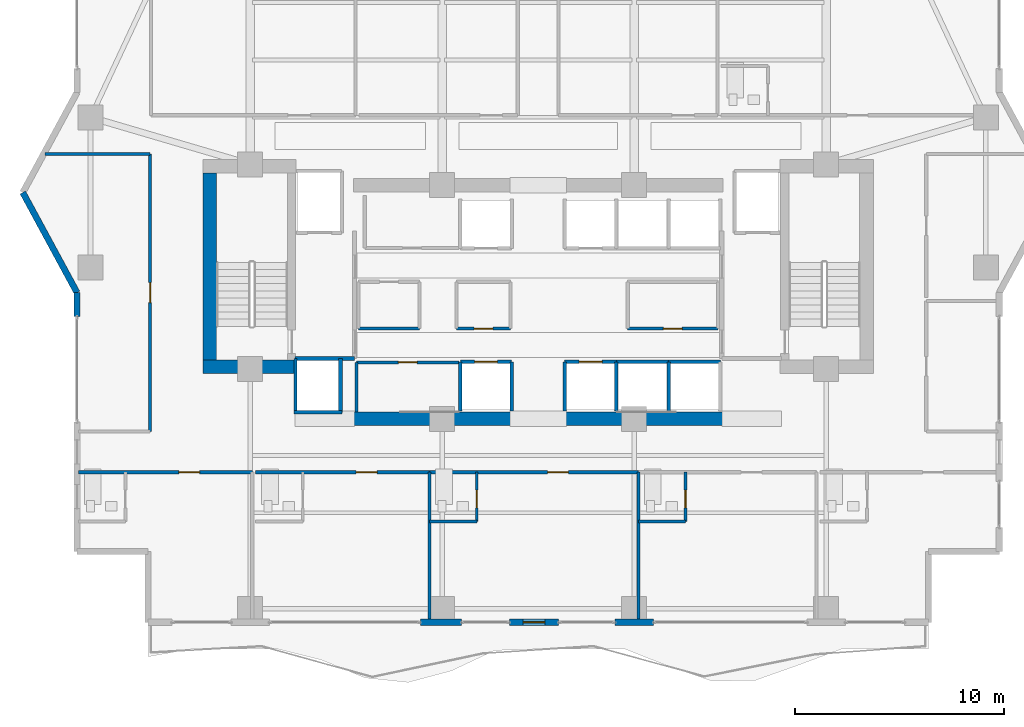
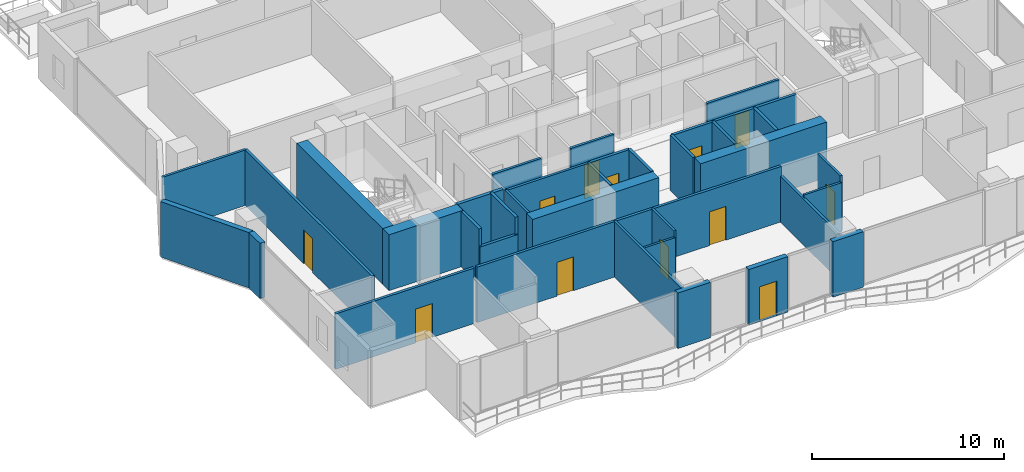
# One storey, part 24 of 32: 38 walls, 12 doors, 12 openings.
"""IFC4 building model written with IfcOpenShell, lengths in metres."""

from ifc_helpers import new_model, si_unit, direction, frame, frame_2d, origin, place, context, subcontext, project, spatial, rectangle, extrude, material, layer, layer_set, type_object, element, fill, save


model = new_model("IFC4")

# Units and contexts
model_context = context("Model", 3, precision=1e-05, world=origin(), true_north=direction((0.0, 1.0)))
body_context = subcontext(model_context, "Body", "Model", "MODEL_VIEW")
ifc_project = project(units=[si_unit("LENGTHUNIT", "METRE"), si_unit("AREAUNIT", "SQUARE_METRE"), si_unit("VOLUMEUNIT", "CUBIC_METRE"), si_unit("PLANEANGLEUNIT", "RADIAN"), si_unit("MASSUNIT", "GRAM", prefix="KILO")], contexts=[model_context])

# Site, building, storey
site_placement = place(None, origin())
site = spatial("IfcSite", under=ifc_project, at=site_placement, CompositionType="ELEMENT")
building_placement = place(site_placement, origin())
building = spatial("IfcBuilding", under=site, at=building_placement, Name="Zuhayl Quay Hotel", CompositionType="ELEMENT")
storey_placement = place(building_placement, frame((0.0, 0.0, 181.14990234375)))
storey = spatial("IfcBuildingStorey", under=building, at=storey_placement, Name="L45", CompositionType="ELEMENT", Elevation=181.14990234375)

# Walls
ifc_material_1 = material(Name="Concrete C50/60", Category="concrete")
ifc_layer_1 = layer(ifc_material_1, 0.64990234375, Name="Concrete C50/60", Category="concrete")
ifc_layer_set_1 = layer_set([ifc_layer_1], Name="Concrete C50/60")
wall_type_1 = type_object("IfcWallType", Name="WL_CORE_650", PredefinedType="SHEAR", material=ifc_layer_set_1)
wall_1_placement = place(storey_placement, frame((-15.735107421875, 4.969970703125, 0.0), z_axis=(0.0, 0.0, 1.0), x_axis=(0.0, 1.0, 0.0)))
element("IfcWall", 1, at=wall_1_placement, inside=storey, type_object=wall_type_1, Name="L45 Core Shear Wall CW_W", PredefinedType="SHEAR", context=body_context, shape_type="SweptSolid", body=[
    extrude(rectangle(XDim=8.9599609375, YDim=0.64990234375, at=frame_2d((4.47998046875, 0.0))), origin(), (0.0, 0.0, 1.0), 3.56005859375),
])
wall_2_placement = place(storey_placement, frame((-16.06005859375, 4.64501953125, 0.0), z_axis=(0.0, 0.0, 1.0), x_axis=(1.0, 0.0, 0.0)))
element("IfcWall", 2, at=wall_2_placement, inside=storey, type_object=wall_type_1, Name="L45 Core Shear Wall CW_SW", PredefinedType="SHEAR", context=body_context, shape_type="SweptSolid", body=[
    extrude(rectangle(XDim=4.4599609375, YDim=0.64990234375, at=frame_2d((2.22998046875, 0.0))), origin(), (0.0, 0.0, 1.0), 3.56005859375),
])
for number, where, z_axis, x_axis, name in (
    (3, (-8.85009765625, 2.14990234375, 0.0), (0.0, 0.0, 1.0), (1.0, 0.0, 0.0), "L45 Core Shear Wall CW_SC_W"),
    (4, (1.25, 2.14990234375, 0.0), (0.0, 0.0, 1.0), (1.0, 0.0, 0.0), "L45 Core Shear Wall CW_SC_E"),
):
    element("IfcWall", number, at=place(storey_placement, frame(where, z_axis=z_axis, x_axis=x_axis)), inside=storey, type_object=wall_type_1, Name=name, PredefinedType="SHEAR", context=body_context, shape_type="SweptSolid", body=[
        extrude(rectangle(XDim=7.60009765625, YDim=0.64990234375, at=frame_2d((3.800048828125, 0.0))), origin(), (0.0, 0.0, 1.0), 3.530029296875),
    ])
ifc_material_2 = material(Name="Precast concrete C45/55", Category="concrete")
ifc_layer_2 = layer(ifc_material_2, 0.300048828125, Name="Precast concrete C45/55", Category="concrete")
ifc_layer_set_2 = layer_set([ifc_layer_2], Name="Precast concrete C45/55")
wall_type_2 = type_object("IfcWallType", Name="WL_EXT_300", PredefinedType="STANDARD", material=ifc_layer_set_2)
wall_3_placement = place(storey_placement, frame((-22.10009765625, 7.050048828125, 0.0), z_axis=(0.0, 0.0, 1.0), x_axis=(0.0, 1.0, 0.0)))
element("IfcWall", 5, at=wall_3_placement, inside=storey, type_object=wall_type_2, Name="L45 Exterior Precast Wall ENV_L45_E02_EW2", PredefinedType="STANDARD", context=body_context, shape_type="SweptSolid", body=[
    extrude(rectangle(XDim=1.14990234375, YDim=0.300048828125, at=frame_2d((0.574951171875, 0.0))), origin(), (0.0, 0.0, 1.0), 3.530029296875),
])
wall_4_placement = place(storey_placement, frame((-22.10009765625, 8.199951171875, 0.0), z_axis=(0.0, 0.0, 1.0), x_axis=(-0.476258655584, 0.879305233114, 0.0)))
element("IfcWall", 6, at=wall_4_placement, inside=storey, type_object=wall_type_2, Name="L45 Exterior Precast Wall ENV_L45_EW03", PredefinedType="STANDARD", context=body_context, shape_type="SweptSolid", body=[
    extrude(rectangle(XDim=5.458984375, YDim=0.300048828125, at=frame_2d((2.7294921875, 0.0))), origin(), (0.0, 0.0, 1.0), 3.530029296875),
])
wall_5_placement = place(storey_placement, frame((5.52001953125, -7.60009765625, 0.0), z_axis=(0.0, 0.0, 1.0), x_axis=(-1.0, 0.0, 0.0)))
element("IfcWall", 7, at=wall_5_placement, inside=storey, type_object=wall_type_2, Name="L45 Exterior Precast Wall ENV_L45_S_EW3", PredefinedType="STANDARD", context=body_context, shape_type="SweptSolid", body=[
    extrude(rectangle(XDim=1.840087890625, YDim=0.300048828125, at=frame_2d((0.919921875, 0.0))), origin(), (0.0, 0.0, 1.0), 3.530029296875),
])

# Wall, opening, door
wall_6_placement = place(storey_placement, frame((0.97509765625, -7.60009765625, 0.0), z_axis=(0.0, 0.0, 1.0), x_axis=(-1.0, 0.0, 0.0)))
wall_6 = element("IfcWall", 8, at=wall_6_placement, inside=storey, type_object=wall_type_2, Name="L45 Exterior Precast Wall ENV_L45_S_EW4", PredefinedType="STANDARD", context=body_context, shape_type="SweptSolid", body=[
    extrude(rectangle(XDim=2.35009765625, YDim=0.300048828125, at=frame_2d((1.175048828125, 0.0))), origin(), (0.0, 0.0, 1.0), 3.530029296875),
])
opening_1_placement = place(wall_6_placement, frame((0.64990234375, 0.0, 0.0)))
opening_1 = element("IfcOpeningElement", 9, at=opening_1_placement, cuts=wall_6, Name="Opening DG1", PredefinedType="OPENING", context=body_context, shape_type="SweptSolid", body=[
    extrude(rectangle(XDim=1.050048828125, YDim=2.199951171875, at=frame_2d((0.52490234375, 1.10009765625))), frame((0.0, 0.159912109375, 0.0), z_axis=(0.0, -1.0, 0.0), x_axis=(1.0, 0.0, 0.0)), (0.0, 0.0, 1.0), 0.320068359375),
])
ifc_material_3 = material(Name="Anodised Aluminium and Dark Solar Glass", Category="aluminium")
door_type_1 = type_object("IfcDoorType", Name="DR_EXT_TERR_1050", OperationType="NOTDEFINED", PredefinedType="DOOR", material=ifc_material_3)
door_1_placement = place(opening_1_placement, origin())
door_1 = element("IfcDoor", 10, at=door_1_placement, inside=storey, type_object=door_type_1, Name="L45 South Rippling Balcony Door", OperationType="SINGLE_SWING_RIGHT", OverallHeight=2.199951171875, OverallWidth=1.050048828125, PredefinedType="DOOR", context=body_context, shape_type="SweptSolid", body=[
    extrude(rectangle(XDim=1.050048828125, YDim=2.199951171875, at=frame_2d((0.52490234375, 1.10009765625))), frame((0.0, 0.02490234375, 0.0), z_axis=(0.0, -1.0, 0.0), x_axis=(1.0, 0.0, 0.0)), (0.0, 0.0, 1.0), 0.050048828125),
])
fill(opening_1, door_1)

# Wall
wall_7_placement = place(storey_placement, frame((-3.679931640625, -7.60009765625, 0.0), z_axis=(0.0, 0.0, 1.0), x_axis=(-1.0, 0.0, 0.0)))
element("IfcWall", 11, at=wall_7_placement, inside=storey, type_object=wall_type_2, Name="L45 Exterior Precast Wall ENV_L45_S_EW5", PredefinedType="STANDARD", context=body_context, shape_type="SweptSolid", body=[
    extrude(rectangle(XDim=1.969970703125, YDim=0.300048828125, at=frame_2d((0.98486328125, 0.0))), origin(), (0.0, 0.0, 1.0), 3.530029296875),
])

# Wall, opening, door
ifc_material_4 = material(Name="Acoustic Gypsum Partition STC-58")
ifc_layer_3 = layer(ifc_material_4, 0.14990234375, Name="Acoustic Gypsum Partition STC-58")
ifc_layer_set_3 = layer_set([ifc_layer_3], Name="Acoustic Gypsum Partition STC-58")
wall_type_3 = type_object("IfcWallType", Name="WL_PART_150", PredefinedType="PARTITIONING", material=ifc_layer_set_3)
wall_8_placement = place(storey_placement, frame((-8.7099609375, 4.860107421875, 0.0), z_axis=(0.0, 0.0, 1.0), x_axis=(1.0, 0.0, 0.0)))
wall_8 = element("IfcWall", 12, at=wall_8_placement, inside=storey, type_object=wall_type_3, Name="L45 Partition IW_L45_FLP_S_N", PredefinedType="PARTITIONING", context=body_context, shape_type="SweptSolid", body=[
    extrude(rectangle(XDim=4.919921875, YDim=0.14990234375, at=frame_2d((2.4599609375, 0.0))), origin(), (0.0, 0.0, 1.0), 3.530029296875),
])
opening_2_placement = place(wall_8_placement, frame((2.010009765625, 0.0, 0.0)))
opening_2 = element("IfcOpeningElement", 13, at=opening_2_placement, cuts=wall_8, Name="Opening D06", PredefinedType="OPENING", context=body_context, shape_type="SweptSolid", body=[
    extrude(rectangle(XDim=0.89990234375, YDim=2.14990234375, at=frame_2d((0.449951171875, 1.074951171875))), frame((0.0, 0.0849609375, 0.0), z_axis=(0.0, -1.0, 0.0), x_axis=(1.0, 0.0, 0.0)), (0.0, 0.0, 1.0), 0.169921875),
])
ifc_material_5 = material(Name="Steel ASTM A992 Grade 50", Category="steel")
door_type_2 = type_object("IfcDoorType", Name="DR_INT_900", OperationType="NOTDEFINED", PredefinedType="DOOR", material=ifc_material_5)
door_2_placement = place(opening_2_placement, origin())
door_2 = element("IfcDoor", 14, at=door_2_placement, inside=storey, type_object=door_type_2, Name="L45 Executive Servery Door", OperationType="SINGLE_SWING_RIGHT", OverallHeight=2.14990234375, OverallWidth=0.89990234375, PredefinedType="DOOR", context=body_context, shape_type="SweptSolid", body=[
    extrude(rectangle(XDim=0.89990234375, YDim=2.14990234375, at=frame_2d((0.449951171875, 1.074951171875))), frame((0.0, 0.02490234375, 0.0), z_axis=(0.0, -1.0, 0.0), x_axis=(1.0, 0.0, 0.0)), (0.0, 0.0, 1.0), 0.050048828125),
])
fill(opening_2, door_2)

wall_9_placement = place(storey_placement, frame((-3.909912109375, 6.47998046875, 0.0), z_axis=(0.0, 0.0, 1.0), x_axis=(1.0, 0.0, 0.0)))
wall_9 = element("IfcWall", 15, at=wall_9_placement, inside=storey, type_object=wall_type_3, Name="L45 Partition IW_L45_CORE_BC_S", PredefinedType="PARTITIONING", context=body_context, shape_type="SweptSolid", body=[
    extrude(rectangle(XDim=2.58984375, YDim=0.14990234375, at=frame_2d((1.294921875, 0.0))), origin(), (0.0, 0.0, 1.0), 3.530029296875),
])
opening_3_placement = place(wall_9_placement, frame((0.844970703125, 0.0, 0.0)))
opening_3 = element("IfcOpeningElement", 16, at=opening_3_placement, cuts=wall_9, Name="Opening D06", PredefinedType="OPENING", context=body_context, shape_type="SweptSolid", body=[
    extrude(rectangle(XDim=0.89990234375, YDim=2.14990234375, at=frame_2d((0.449951171875, 1.074951171875))), frame((0.0, 0.0849609375, 0.0), z_axis=(0.0, -1.0, 0.0), x_axis=(1.0, 0.0, 0.0)), (0.0, 0.0, 1.0), 0.169921875),
])
door_3_placement = place(opening_3_placement, origin())
door_3 = element("IfcDoor", 17, at=door_3_placement, inside=storey, type_object=door_type_2, Name="L45 BMS Control Closet Door", OperationType="SINGLE_SWING_LEFT", OverallHeight=2.14990234375, OverallWidth=0.89990234375, PredefinedType="DOOR", context=body_context, shape_type="SweptSolid", body=[
    extrude(rectangle(XDim=0.89990234375, YDim=2.14990234375, at=frame_2d((0.449951171875, 1.074951171875))), frame((0.0, 0.02490234375, 0.0), z_axis=(0.0, -1.0, 0.0), x_axis=(1.0, 0.0, 0.0)), (0.0, 0.0, 1.0), 0.050048828125),
])
fill(opening_3, door_3)

wall_10_placement = place(storey_placement, frame((4.2900390625, 6.47998046875, 0.0), z_axis=(0.0, 0.0, 1.0), x_axis=(1.0, 0.0, 0.0)))
wall_10 = element("IfcWall", 18, at=wall_10_placement, inside=storey, type_object=wall_type_3, Name="L45 Partition IW_L45_CORE_VL_S", PredefinedType="PARTITIONING", context=body_context, shape_type="SweptSolid", body=[
    extrude(rectangle(XDim=4.320068359375, YDim=0.14990234375, at=frame_2d((2.16015625, 0.0))), origin(), (0.0, 0.0, 1.0), 3.530029296875),
])
opening_4_placement = place(wall_10_placement, frame((1.7099609375, 0.0, 0.0)))
opening_4 = element("IfcOpeningElement", 19, at=opening_4_placement, cuts=wall_10, Name="Opening D06", PredefinedType="OPENING", context=body_context, shape_type="SweptSolid", body=[
    extrude(rectangle(XDim=0.89990234375, YDim=2.14990234375, at=frame_2d((0.449951171875, 1.074951171875))), frame((0.0, 0.0849609375, 0.0), z_axis=(0.0, -1.0, 0.0), x_axis=(1.0, 0.0, 0.0)), (0.0, 0.0, 1.0), 0.169921875),
])
door_4_placement = place(opening_4_placement, origin())
door_4 = element("IfcDoor", 20, at=door_4_placement, inside=storey, type_object=door_type_2, Name="L45 Floor Valet Store Door", OperationType="SINGLE_SWING_RIGHT", OverallHeight=2.14990234375, OverallWidth=0.89990234375, PredefinedType="DOOR", context=body_context, shape_type="SweptSolid", body=[
    extrude(rectangle(XDim=0.89990234375, YDim=2.14990234375, at=frame_2d((0.449951171875, 1.074951171875))), frame((0.0, 0.02490234375, 0.0), z_axis=(0.0, -1.0, 0.0), x_axis=(1.0, 0.0, 0.0)), (0.0, 0.0, 1.0), 0.050048828125),
])
fill(opening_4, door_4)

# Walls
wall_11_placement = place(storey_placement, frame((-8.7099609375, 2.489990234375, 0.0), z_axis=(0.0, 0.0, 1.0), x_axis=(0.0, 1.0, 0.0)))
element("IfcWall", 21, at=wall_11_placement, inside=storey, type_object=wall_type_3, Name="L45 Partition IW_L45_FLP_S_W", PredefinedType="PARTITIONING", context=body_context, shape_type="SweptSolid", body=[
    extrude(rectangle(XDim=2.3701171875, YDim=0.14990234375, at=frame_2d((1.18505859375, 0.0))), origin(), (0.0, 0.0, 1.0), 3.530029296875),
])
wall_12_placement = place(storey_placement, frame((-8.610107421875, 6.47998046875, 0.0), z_axis=(0.0, 0.0, 1.0), x_axis=(1.0, 0.0, 0.0)))
element("IfcWall", 22, at=wall_12_placement, inside=storey, type_object=wall_type_3, Name="L45 Partition IW_L45_CORE_HK_S", PredefinedType="PARTITIONING", context=body_context, shape_type="SweptSolid", body=[
    extrude(rectangle(XDim=2.920166015625, YDim=0.14990234375, at=frame_2d((1.4599609375, 0.0))), origin(), (0.0, 0.0, 1.0), 3.530029296875),
])
wall_13_placement = place(storey_placement, frame((-5.199951171875, -7.52001953125, 0.0), z_axis=(0.0, 0.0, 1.0), x_axis=(0.0, 1.0, 0.0)))
element("IfcWall", 23, at=wall_13_placement, inside=storey, type_object=wall_type_3, Name="L45 Partition IW_L45_SU01B_E", PredefinedType="PARTITIONING", context=body_context, shape_type="SweptSolid", body=[
    extrude(rectangle(XDim=7.1201171875, YDim=0.14990234375, at=frame_2d((3.56005859375, 0.0))), origin(), (0.0, 0.0, 1.0), 3.530029296875),
])
wall_14_placement = place(storey_placement, frame((4.800048828125, -7.52001953125, 0.0), z_axis=(0.0, 0.0, 1.0), x_axis=(0.0, 1.0, 0.0)))
element("IfcWall", 24, at=wall_14_placement, inside=storey, type_object=wall_type_3, Name="L45 Partition IW_L45_SU02_E", PredefinedType="PARTITIONING", context=body_context, shape_type="SweptSolid", body=[
    extrude(rectangle(XDim=7.1201171875, YDim=0.14990234375, at=frame_2d((3.56005859375, 0.0))), origin(), (0.0, 0.0, 1.0), 2.923095703125),
])
wall_15_placement = place(storey_placement, frame((-23.637939453125, 14.85009765625, 0.0), z_axis=(0.0, 0.0, 1.0), x_axis=(1.0, 0.0, 0.0)))
element("IfcWall", 25, at=wall_15_placement, inside=storey, type_object=wall_type_3, Name="L45 Partition IW_L45_WPROW_1_N", PredefinedType="PARTITIONING", context=body_context, shape_type="SweptSolid", body=[
    extrude(rectangle(XDim=5.037841796875, YDim=0.14990234375, at=frame_2d((2.51904296875, 0.0))), origin(), (0.0, 0.0, 1.0), 3.530029296875),
])

# Wall, opening, door
ifc_layer_4 = layer(ifc_material_4, 0.159912109375, Name="Acoustic Gypsum Partition STC-58")
ifc_layer_set_4 = layer_set([ifc_layer_4], Name="Acoustic Gypsum Partition STC-58")
wall_type_4 = type_object("IfcWallType", Name="WL_PART_CORR_160", PredefinedType="PARTITIONING", material=ifc_layer_set_4)
wall_16_placement = place(storey_placement, frame((-22.0400390625, -0.39990234375, 0.0), z_axis=(0.0, 0.0, 1.0), x_axis=(1.0, 0.0, 0.0)))
wall_16 = element("IfcWall", 26, at=wall_16_placement, inside=storey, type_object=wall_type_4, Name="L45 Partition IW_L45_SU01A_COR", PredefinedType="PARTITIONING", context=body_context, shape_type="SweptSolid", body=[
    extrude(rectangle(XDim=8.340087890625, YDim=0.159912109375, at=frame_2d((4.169921875, 0.0))), origin(), (0.0, 0.0, 1.0), 3.530029296875),
])
opening_5_placement = place(wall_16_placement, frame((4.820068359375, 0.0, 0.0)))
opening_5 = element("IfcOpeningElement", 27, at=opening_5_placement, cuts=wall_16, Name="Opening D03L", PredefinedType="OPENING", context=body_context, shape_type="SweptSolid", body=[
    extrude(rectangle(XDim=1.0, YDim=2.14990234375, at=frame_2d((0.5, 1.074951171875))), frame((0.0, 0.08984375, 0.0), z_axis=(0.0, -1.0, 0.0), x_axis=(1.0, 0.0, 0.0)), (0.0, 0.0, 1.0), 0.179931640625),
])
ifc_material_6 = material(Name="Solid Walnut Acoustic Fire Door")
door_type_3 = type_object("IfcDoorType", Name="DR_SUITE_1000", OperationType="NOTDEFINED", PredefinedType="DOOR", material=ifc_material_6)
door_5_placement = place(opening_5_placement, origin())
door_5 = element("IfcDoor", 28, at=door_5_placement, inside=storey, type_object=door_type_3, Name="L45 City-View Junior Suite L45-01A Entrance Door", OperationType="SINGLE_SWING_LEFT", OverallHeight=2.14990234375, OverallWidth=1.0, PredefinedType="DOOR", context=body_context, shape_type="SweptSolid", body=[
    extrude(rectangle(XDim=1.0, YDim=2.14990234375, at=frame_2d((0.5, 1.074951171875))), frame((0.0, 0.02490234375, 0.0), z_axis=(0.0, -1.0, 0.0), x_axis=(1.0, 0.0, 0.0)), (0.0, 0.0, 1.0), 0.050048828125),
])
fill(opening_5, door_5)

wall_17_placement = place(storey_placement, frame((-13.5400390625, -0.39990234375, 0.0), z_axis=(0.0, 0.0, 1.0), x_axis=(1.0, 0.0, 0.0)))
wall_17 = element("IfcWall", 29, at=wall_17_placement, inside=storey, type_object=wall_type_4, Name="L45 Partition IW_L45_SU01B_COR", PredefinedType="PARTITIONING", context=body_context, shape_type="SweptSolid", body=[
    extrude(rectangle(XDim=8.340087890625, YDim=0.159912109375, at=frame_2d((4.169921875, 0.0))), origin(), (0.0, 0.0, 1.0), 3.530029296875),
])
opening_6_placement = place(wall_17_placement, frame((4.820068359375, 0.0, 0.0)))
opening_6 = element("IfcOpeningElement", 30, at=opening_6_placement, cuts=wall_17, Name="Opening D03L", PredefinedType="OPENING", context=body_context, shape_type="SweptSolid", body=[
    extrude(rectangle(XDim=1.0, YDim=2.14990234375, at=frame_2d((0.5, 1.074951171875))), frame((0.0, 0.08984375, 0.0), z_axis=(0.0, -1.0, 0.0), x_axis=(1.0, 0.0, 0.0)), (0.0, 0.0, 1.0), 0.179931640625),
])
door_6_placement = place(opening_6_placement, origin())
door_6 = element("IfcDoor", 31, at=door_6_placement, inside=storey, type_object=door_type_3, Name="L45 City-View Junior Suite L45-01B Entrance Door", OperationType="SINGLE_SWING_LEFT", OverallHeight=2.14990234375, OverallWidth=1.0, PredefinedType="DOOR", context=body_context, shape_type="SweptSolid", body=[
    extrude(rectangle(XDim=1.0, YDim=2.14990234375, at=frame_2d((0.5, 1.074951171875))), frame((0.0, 0.02490234375, 0.0), z_axis=(0.0, -1.0, 0.0), x_axis=(1.0, 0.0, 0.0)), (0.0, 0.0, 1.0), 0.050048828125),
])
fill(opening_6, door_6)

wall_18_placement = place(storey_placement, frame((-5.199951171875, -0.39990234375, 0.0), z_axis=(0.0, 0.0, 1.0), x_axis=(1.0, 0.0, 0.0)))
wall_18 = element("IfcWall", 32, at=wall_18_placement, inside=storey, type_object=wall_type_4, Name="L45 Partition IW_L45_SU02_COR", PredefinedType="PARTITIONING", context=body_context, shape_type="SweptSolid", body=[
    extrude(rectangle(XDim=10.0, YDim=0.159912109375, at=frame_2d((5.0, 0.0))), origin(), (0.0, 0.0, 1.0), 3.530029296875),
])
opening_7_placement = place(wall_18_placement, frame((5.64990234375, 0.0, 0.0)))
opening_7 = element("IfcOpeningElement", 33, at=opening_7_placement, cuts=wall_18, Name="Opening D03L", PredefinedType="OPENING", context=body_context, shape_type="SweptSolid", body=[
    extrude(rectangle(XDim=1.0, YDim=2.14990234375, at=frame_2d((0.5, 1.074951171875))), frame((0.0, 0.08984375, 0.0), z_axis=(0.0, -1.0, 0.0), x_axis=(1.0, 0.0, 0.0)), (0.0, 0.0, 1.0), 0.179931640625),
])
door_7_placement = place(opening_7_placement, origin())
door_7 = element("IfcDoor", 34, at=door_7_placement, inside=storey, type_object=door_type_3, Name="L45 City-View Junior Suite L45-02 Entrance Door", OperationType="SINGLE_SWING_LEFT", OverallHeight=2.14990234375, OverallWidth=1.0, PredefinedType="DOOR", context=body_context, shape_type="SweptSolid", body=[
    extrude(rectangle(XDim=1.0, YDim=2.14990234375, at=frame_2d((0.5, 1.074951171875))), frame((0.0, 0.02490234375, 0.0), z_axis=(0.0, -1.0, 0.0), x_axis=(1.0, 0.0, 0.0)), (0.0, 0.0, 1.0), 0.050048828125),
])
fill(opening_7, door_7)

wall_19_placement = place(storey_placement, frame((-18.60009765625, 1.550048828125, 0.0), z_axis=(0.0, 0.0, 1.0), x_axis=(0.0, 1.0, 0.0)))
wall_19 = element("IfcWall", 35, at=wall_19_placement, inside=storey, type_object=wall_type_4, Name="L45 Partition IW_L45_WPROW_1_E", PredefinedType="PARTITIONING", context=body_context, shape_type="SweptSolid", body=[
    extrude(rectangle(XDim=13.300048828125, YDim=0.159912109375, at=frame_2d((6.64990234375, 0.0))), origin(), (0.0, 0.0, 1.0), 3.530029296875),
])
opening_8_placement = place(wall_19_placement, frame((6.175048828125, 0.0, 0.0)))
opening_8 = element("IfcOpeningElement", 36, at=opening_8_placement, cuts=wall_19, Name="Opening D03", PredefinedType="OPENING", context=body_context, shape_type="SweptSolid", body=[
    extrude(rectangle(XDim=0.949951171875, YDim=2.14990234375, at=frame_2d((0.47509765625, 1.074951171875))), frame((0.0, 0.08984375, 0.0), z_axis=(0.0, -1.0, 0.0), x_axis=(1.0, 0.0, 0.0)), (0.0, 0.0, 1.0), 0.179931640625),
])
door_type_4 = type_object("IfcDoorType", Name="DR_SUITE_950", OperationType="NOTDEFINED", PredefinedType="DOOR", material=ifc_material_6)
door_8_placement = place(opening_8_placement, origin())
door_8 = element("IfcDoor", 37, at=door_8_placement, inside=storey, type_object=door_type_4, Name="L45 West Prow Panoramic Salon L45 Door", OperationType="SINGLE_SWING_RIGHT", OverallHeight=2.14990234375, OverallWidth=0.949951171875, PredefinedType="DOOR", context=body_context, shape_type="SweptSolid", body=[
    extrude(rectangle(XDim=0.949951171875, YDim=2.14990234375, at=frame_2d((0.47509765625, 1.074951171875))), frame((0.0, 0.02490234375, 0.0), z_axis=(0.0, -1.0, 0.0), x_axis=(1.0, 0.0, 0.0)), (0.0, 0.0, 1.0), 0.050048828125),
])
fill(opening_8, door_8)

ifc_material_7 = material(Name="Moisture-Resistant Sanitarychase Gypsum")
ifc_layer_5 = layer(ifc_material_7, 0.135009765625, Name="Moisture-Resistant Sanitarychase Gypsum")
ifc_layer_set_5 = layer_set([ifc_layer_5], Name="Moisture-Resistant Sanitarychase Gypsum")
wall_type_5 = type_object("IfcWallType", Name="WL_PART_PLUMB_150", PredefinedType="PLUMBINGWALL", material=ifc_layer_set_5)
wall_20_placement = place(storey_placement, frame((-2.93994140625, -2.760009765625, 0.0), z_axis=(0.0, 0.0, 1.0), x_axis=(0.0, 1.0, 0.0)))
wall_20 = element("IfcWall", 38, at=wall_20_placement, inside=storey, type_object=wall_type_5, Name="L45 Partition IW_L45_SU02_BE", PredefinedType="PLUMBINGWALL", context=body_context, shape_type="SweptSolid", body=[
    extrude(rectangle(XDim=2.360107421875, YDim=0.135009765625, at=frame_2d((1.18017578125, 0.0))), origin(), (0.0, 0.0, 1.0), 3.530029296875),
])
opening_9_placement = place(wall_20_placement, frame((0.64990234375, 0.0, 0.0)))
opening_9 = element("IfcOpeningElement", 39, at=opening_9_placement, cuts=wall_20, Name="Opening D04", PredefinedType="OPENING", context=body_context, shape_type="SweptSolid", body=[
    extrude(rectangle(XDim=0.85009765625, YDim=2.10009765625, at=frame_2d((0.425048828125, 1.050048828125))), frame((0.0, 0.077392578125, 0.0), z_axis=(0.0, -1.0, 0.0), x_axis=(1.0, 0.0, 0.0)), (0.0, 0.0, 1.0), 0.155029296875),
])
ifc_material_8 = material(Name="Moisture-Resistant Walnut Veneer")
door_type_5 = type_object("IfcDoorType", Name="DR_BATH_850", OperationType="NOTDEFINED", PredefinedType="DOOR", material=ifc_material_8)
door_9_placement = place(opening_9_placement, origin())
door_9 = element("IfcDoor", 40, at=door_9_placement, inside=storey, type_object=door_type_5, Name="L45 City-View Junior Suite L45-02 En-Suite Door", OperationType="SINGLE_SWING_RIGHT", OverallHeight=2.10009765625, OverallWidth=0.85009765625, PredefinedType="DOOR", context=body_context, shape_type="SweptSolid", body=[
    extrude(rectangle(XDim=0.85009765625, YDim=2.10009765625, at=frame_2d((0.425048828125, 1.050048828125))), frame((0.0, 0.02490234375, 0.0), z_axis=(0.0, -1.0, 0.0), x_axis=(1.0, 0.0, 0.0)), (0.0, 0.0, 1.0), 0.050048828125),
])
fill(opening_9, door_9)

wall_21_placement = place(storey_placement, frame((7.06005859375, -2.760009765625, 0.0), z_axis=(0.0, 0.0, 1.0), x_axis=(0.0, 1.0, 0.0)))
wall_21 = element("IfcWall", 41, at=wall_21_placement, inside=storey, type_object=wall_type_5, Name="L45 Partition IW_L45_SU03A_BE", PredefinedType="PLUMBINGWALL", context=body_context, shape_type="SweptSolid", body=[
    extrude(rectangle(XDim=2.360107421875, YDim=0.135009765625, at=frame_2d((1.18017578125, 0.0))), origin(), (0.0, 0.0, 1.0), 3.530029296875),
])
opening_10_placement = place(wall_21_placement, frame((0.64990234375, 0.0, 0.0)))
opening_10 = element("IfcOpeningElement", 42, at=opening_10_placement, cuts=wall_21, Name="Opening D04", PredefinedType="OPENING", context=body_context, shape_type="SweptSolid", body=[
    extrude(rectangle(XDim=0.85009765625, YDim=2.10009765625, at=frame_2d((0.425048828125, 1.050048828125))), frame((0.0, 0.077392578125, 0.0), z_axis=(0.0, -1.0, 0.0), x_axis=(1.0, 0.0, 0.0)), (0.0, 0.0, 1.0), 0.155029296875),
])
door_10_placement = place(opening_10_placement, origin())
door_10 = element("IfcDoor", 43, at=door_10_placement, inside=storey, type_object=door_type_5, Name="L45 City-View Junior Suite L45-03A En-Suite Door", OperationType="SINGLE_SWING_RIGHT", OverallHeight=2.10009765625, OverallWidth=0.85009765625, PredefinedType="DOOR", context=body_context, shape_type="SweptSolid", body=[
    extrude(rectangle(XDim=0.85009765625, YDim=2.10009765625, at=frame_2d((0.425048828125, 1.050048828125))), frame((0.0, 0.02490234375, 0.0), z_axis=(0.0, -1.0, 0.0), x_axis=(1.0, 0.0, 0.0)), (0.0, 0.0, 1.0), 0.050048828125),
])
fill(opening_10, door_10)

# Walls
for number, where, z_axis, x_axis, name in (
    (44, (-5.199951171875, -2.760009765625, 0.0), (0.0, 0.0, 1.0), (1.0, 0.0, 0.0), "L45 Partition IW_L45_SU02_BS"),
    (45, (4.800048828125, -2.760009765625, 0.0), (0.0, 0.0, 1.0), (1.0, 0.0, 0.0), "L45 Partition IW_L45_SU03A_BS"),
):
    element("IfcWall", number, at=place(storey_placement, frame(where, z_axis=z_axis, x_axis=x_axis)), inside=storey, type_object=wall_type_5, Name=name, PredefinedType="PLUMBINGWALL", context=body_context, shape_type="SweptSolid", body=[
        extrude(rectangle(XDim=2.260009765625, YDim=0.135009765625, at=frame_2d((1.1298828125, 0.0))), origin(), (0.0, 0.0, 1.0), 3.1240234375),
    ])

# Wall, opening, door
ifc_material_9 = material(Name="Gypsum Fireboard Assembly EI-90")
ifc_layer_6 = layer(ifc_material_9, 0.1650390625, Name="Gypsum Fireboard Assembly EI-90")
ifc_layer_set_6 = layer_set([ifc_layer_6], Name="Gypsum Fireboard Assembly EI-90")
wall_type_6 = type_object("IfcWallType", Name="WL_PART_SHAFT_160", PredefinedType="PARTITIONING", material=ifc_layer_set_6)
wall_22_placement = place(storey_placement, frame((-3.72998046875, 4.8798828125, 0.0), z_axis=(0.0, 0.0, 1.0), x_axis=(1.0, 0.0, 0.0)))
wall_22 = element("IfcWall", 46, at=wall_22_placement, inside=storey, type_object=wall_type_6, Name="L45 Partition IW_L45_SH_MP1_F", PredefinedType="PARTITIONING", context=body_context, shape_type="SweptSolid", body=[
    extrude(rectangle(XDim=2.4599609375, YDim=0.1650390625, at=frame_2d((1.22998046875, 0.0))), origin(), (0.0, 0.0, 1.0), 3.530029296875),
])
opening_11_placement = place(wall_22_placement, frame((0.679931640625, 0.0, 0.0)))
opening_11 = element("IfcOpeningElement", 47, at=opening_11_placement, cuts=wall_22, Name="Opening LD1", PredefinedType="OPENING", context=body_context, shape_type="SweptSolid", body=[
    extrude(rectangle(XDim=1.10009765625, YDim=2.25, at=frame_2d((0.550048828125, 1.125))), frame((0.0, 0.092529296875, 0.0), z_axis=(0.0, -1.0, 0.0), x_axis=(1.0, 0.0, 0.0)), (0.0, 0.0, 1.0), 0.18505859375),
])
ifc_material_10 = material(Name="Brushed Stainless Steel", Category="steel")
door_type_6 = type_object("IfcDoorType", Name="DR_LIFT_PASS_1100", OperationType="SLIDING_TO_LEFT", PredefinedType="DOOR", material=ifc_material_10)
door_11_placement = place(opening_11_placement, origin())
door_11 = element("IfcDoor", 48, at=door_11_placement, inside=storey, type_object=door_type_6, Name="L45 Lift MP1 Sliding Landing Door", OperationType="SLIDING_TO_LEFT", OverallHeight=2.25, OverallWidth=1.10009765625, PredefinedType="DOOR", context=body_context, shape_type="SweptSolid", body=[
    extrude(rectangle(XDim=1.10009765625, YDim=2.25, at=frame_2d((0.550048828125, 1.125))), frame((0.0, 0.02490234375, 0.0), z_axis=(0.0, -1.0, 0.0), x_axis=(1.0, 0.0, 0.0)), (0.0, 0.0, 1.0), 0.050048828125),
])
fill(opening_11, door_11)

wall_23_placement = place(storey_placement, frame((1.27001953125, 4.8798828125, 0.0), z_axis=(0.0, 0.0, 1.0), x_axis=(1.0, 0.0, 0.0)))
wall_23 = element("IfcWall", 49, at=wall_23_placement, inside=storey, type_object=wall_type_6, Name="L45 Partition IW_L45_SH_MP2_F", PredefinedType="PARTITIONING", context=body_context, shape_type="SweptSolid", body=[
    extrude(rectangle(XDim=2.47998046875, YDim=0.1650390625, at=frame_2d((1.239990234375, 0.0))), origin(), (0.0, 0.0, 1.0), 3.530029296875),
])
opening_12_placement = place(wall_23_placement, frame((0.68994140625, 0.0, 0.0)))
opening_12 = element("IfcOpeningElement", 50, at=opening_12_placement, cuts=wall_23, Name="Opening LD1", PredefinedType="OPENING", context=body_context, shape_type="SweptSolid", body=[
    extrude(rectangle(XDim=1.10009765625, YDim=2.25, at=frame_2d((0.550048828125, 1.125))), frame((0.0, 0.092529296875, 0.0), z_axis=(0.0, -1.0, 0.0), x_axis=(1.0, 0.0, 0.0)), (0.0, 0.0, 1.0), 0.18505859375),
])
door_12_placement = place(opening_12_placement, origin())
door_12 = element("IfcDoor", 51, at=door_12_placement, inside=storey, type_object=door_type_6, Name="L45 Lift MP2 Sliding Landing Door", OperationType="SLIDING_TO_LEFT", OverallHeight=2.25, OverallWidth=1.10009765625, PredefinedType="DOOR", context=body_context, shape_type="SweptSolid", body=[
    extrude(rectangle(XDim=1.10009765625, YDim=2.25, at=frame_2d((0.550048828125, 1.125))), frame((0.0, 0.02490234375, 0.0), z_axis=(0.0, -1.0, 0.0), x_axis=(1.0, 0.0, 0.0)), (0.0, 0.0, 1.0), 0.050048828125),
])
fill(opening_12, door_12)

# Walls
for number, where, z_axis, x_axis, name in (
    (52, (-3.72998046875, 2.52001953125, 0.0), (0.0, 0.0, 1.0), (0.0, 1.0, 0.0), "L45 Partition IW_L45_SH_MP1_W"),
    (53, (-1.27001953125, 2.52001953125, 0.0), (0.0, 0.0, 1.0), (0.0, 1.0, 0.0), "L45 Partition IW_L45_SH_MP1_E"),
    (54, (1.27001953125, 2.52001953125, 0.0), (0.0, 0.0, 1.0), (0.0, 1.0, 0.0), "L45 Partition IW_L45_SH_MP2_W"),
    (55, (3.75, 2.52001953125, 0.0), (0.0, 0.0, 1.0), (0.0, 1.0, 0.0), "L45 Partition IW_L45_SH_MP2_E"),
):
    element("IfcWall", number, at=place(storey_placement, frame(where, z_axis=z_axis, x_axis=x_axis)), inside=storey, type_object=wall_type_6, Name=name, PredefinedType="PARTITIONING", context=body_context, shape_type="SweptSolid", body=[
        extrude(rectangle(XDim=2.35986328125, YDim=0.1650390625, at=frame_2d((1.179931640625, 0.0))), origin(), (0.0, 0.0, 1.0), 3.530029296875),
    ])
wall_24_placement = place(storey_placement, frame((3.75, 4.8798828125, 0.0), z_axis=(0.0, 0.0, 1.0), x_axis=(1.0, 0.0, 0.0)))
element("IfcWall", 56, at=wall_24_placement, inside=storey, type_object=wall_type_6, Name="L45 Partition IW_L45_SH_HP1_F", PredefinedType="PARTITIONING", context=body_context, shape_type="SweptSolid", body=[
    extrude(rectangle(XDim=2.5, YDim=0.1650390625, at=frame_2d((1.25, 0.0))), origin(), (0.0, 0.0, 1.0), 3.530029296875),
])
wall_25_placement = place(storey_placement, frame((6.25, 2.52001953125, 0.0), z_axis=(0.0, 0.0, 1.0), x_axis=(0.0, 1.0, 0.0)))
element("IfcWall", 57, at=wall_25_placement, inside=storey, type_object=wall_type_6, Name="L45 Partition IW_L45_SH_HP1_E", PredefinedType="PARTITIONING", context=body_context, shape_type="SweptSolid", body=[
    extrude(rectangle(XDim=2.35986328125, YDim=0.1650390625, at=frame_2d((1.179931640625, 0.0))), origin(), (0.0, 0.0, 1.0), 3.530029296875),
])
wall_26_placement = place(storey_placement, frame((6.25, 4.8798828125, 0.0), z_axis=(0.0, 0.0, 1.0), x_axis=(1.0, 0.0, 0.0)))
element("IfcWall", 58, at=wall_26_placement, inside=storey, type_object=wall_type_6, Name="L45 Partition IW_L45_SH_HP2_F", PredefinedType="PARTITIONING", context=body_context, shape_type="SweptSolid", body=[
    extrude(rectangle(XDim=2.47998046875, YDim=0.1650390625, at=frame_2d((1.239990234375, 0.0))), origin(), (0.0, 0.0, 1.0), 3.530029296875),
])
wall_27_placement = place(storey_placement, frame((-11.6298828125, 2.469970703125, 0.0), z_axis=(0.0, 0.0, 1.0), x_axis=(0.0, 1.0, 0.0)))
element("IfcWall", 59, at=wall_27_placement, inside=storey, type_object=wall_type_6, Name="L45 Partition IW_L45_RISER_W", PredefinedType="PARTITIONING", context=body_context, shape_type="SweptSolid", body=[
    extrude(rectangle(XDim=2.580078125, YDim=0.1650390625, at=frame_2d((1.2900390625, 0.0))), origin(), (0.0, 0.0, 1.0), 3.530029296875),
])
wall_28_placement = place(storey_placement, frame((-11.7099609375, 2.469970703125, 0.0), z_axis=(0.0, 0.0, 1.0), x_axis=(1.0, 0.0, 0.0)))
element("IfcWall", 60, at=wall_28_placement, inside=storey, type_object=wall_type_6, Name="L45 Partition IW_L45_RISER_S", PredefinedType="PARTITIONING", context=body_context, shape_type="SweptSolid", body=[
    extrude(rectangle(XDim=2.31005859375, YDim=0.1650390625, at=frame_2d((1.155029296875, 0.0))), origin(), (0.0, 0.0, 1.0), 2.43017578125),
])
ifc_layer_7 = layer(ifc_material_9, 0.179931640625, Name="Gypsum Fireboard Assembly EI-90")
ifc_layer_set_7 = layer_set([ifc_layer_7], Name="Gypsum Fireboard Assembly EI-90")
wall_type_7 = type_object("IfcWallType", Name="WL_PART_SHAFT_180", PredefinedType="PARTITIONING", material=ifc_layer_set_7)
wall_29_placement = place(storey_placement, frame((-9.469970703125, 2.449951171875, 0.0), z_axis=(0.0, 0.0, 1.0), x_axis=(0.0, 1.0, 0.0)))
element("IfcWall", 61, at=wall_29_placement, inside=storey, type_object=wall_type_7, Name="L45 Partition IW_L45_RISER_E", PredefinedType="PARTITIONING", context=body_context, shape_type="SweptSolid", body=[
    extrude(rectangle(XDim=2.60009765625, YDim=0.179931640625, at=frame_2d((1.300048828125, 0.0))), origin(), (0.0, 0.0, 1.0), 3.530029296875),
])
ifc_material_11 = material(Name="Gypsum Fireboard Assembly EI-120")
ifc_layer_8 = layer(ifc_material_11, 0.199951171875, Name="Gypsum Fireboard Assembly EI-120")
ifc_layer_set_8 = layer_set([ifc_layer_8], Name="Gypsum Fireboard Assembly EI-120")
wall_type_8 = type_object("IfcWallType", Name="WL_PART_SHAFT_200", PredefinedType="PARTITIONING", material=ifc_layer_set_8)
wall_30_placement = place(storey_placement, frame((-11.64990234375, 5.050048828125, 0.0), z_axis=(0.0, 0.0, 1.0), x_axis=(1.0, 0.0, 0.0)))
element("IfcWall", 62, at=wall_30_placement, inside=storey, type_object=wall_type_8, Name="L45 Partition IW_L45_FSAE_W_S", PredefinedType="PARTITIONING", context=body_context, shape_type="SweptSolid", body=[
    extrude(rectangle(XDim=2.849853515625, YDim=0.199951171875, at=frame_2d((1.4248046875, 0.0))), origin(), (0.0, 0.0, 1.0), 3.530029296875),
])

save(model, "model.ifc")
